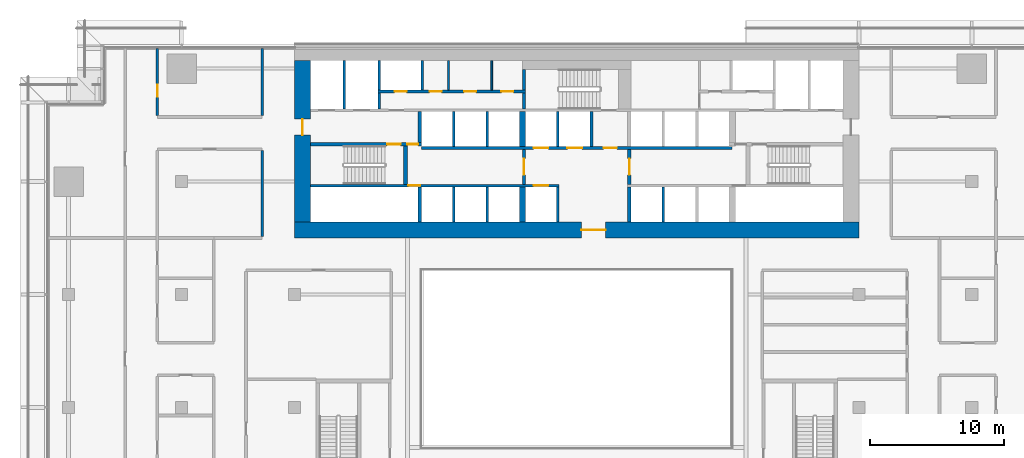
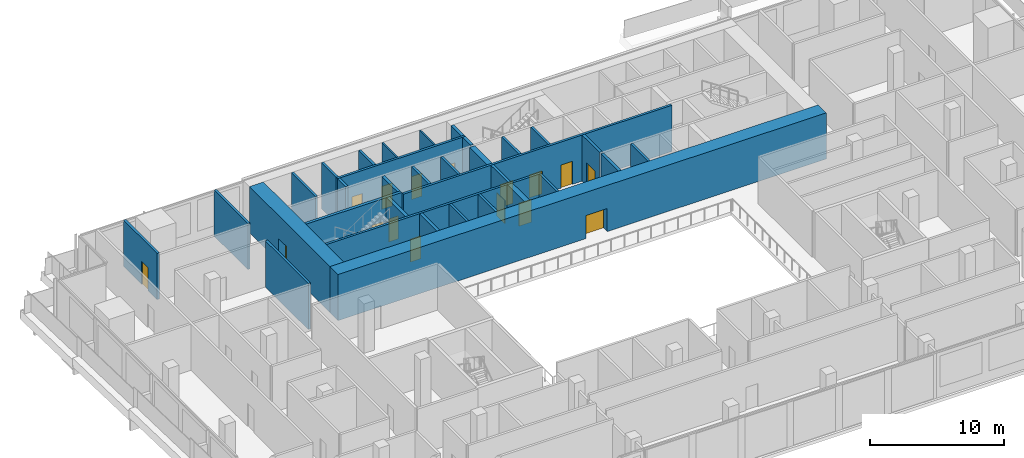
# One storey, part 15 of 23: 33 walls, 16 doors, 16 openings.
"""IFC4 building model written with IfcOpenShell, lengths in metres."""

from ifc_helpers import new_model, si_unit, direction, frame, frame_2d, origin, place, context, subcontext, project, spatial, rectangle, extrude, material, layer, layer_set, type_object, element, fill, save


model = new_model("IFC4")

# Units and contexts
model_context = context("Model", 3, precision=1e-05, world=origin(), true_north=direction((0.0, 1.0)))
body_context = subcontext(model_context, "Body", "Model", "MODEL_VIEW")
ifc_project = project(units=[si_unit("LENGTHUNIT", "METRE"), si_unit("AREAUNIT", "SQUARE_METRE"), si_unit("VOLUMEUNIT", "CUBIC_METRE"), si_unit("PLANEANGLEUNIT", "RADIAN"), si_unit("MASSUNIT", "GRAM", prefix="KILO")], contexts=[model_context])

# Site, building, storey
site_placement = place(None, origin())
site = spatial("IfcSite", under=ifc_project, at=site_placement, CompositionType="ELEMENT")
building_placement = place(site_placement, origin())
building = spatial("IfcBuilding", under=site, at=building_placement, Name="Saffron Gate Tower", CompositionType="ELEMENT")
storey_placement = place(building_placement, frame((0.0, 0.0, 23.699951171875)))
storey = spatial("IfcBuildingStorey", under=building, at=storey_placement, Name="L04", CompositionType="ELEMENT", Elevation=23.699951171875)

# Wall, opening, door
ifc_material_1 = material(Name="Concrete C70", Category="concrete")
ifc_layer_1 = layer(ifc_material_1, 1.199951171875)
ifc_layer_set_1 = layer_set([ifc_layer_1], Name="CW1 RC core wall 1200 C70")
wall_type_1 = type_object("IfcWallType", Name="CW1 RC core wall 1200 C70", PredefinedType="SOLIDWALL", material=ifc_layer_set_1)
wall_1_placement = place(storey_placement, frame((66.60009765625, 61.800048828125, 0.0), z_axis=(0.0, 0.0, 1.0), x_axis=(1.0, 0.0, 0.0)))
wall_1 = element("IfcWall", 1, at=wall_1_placement, inside=storey, type_object=wall_type_1, Name="Wall CW1-L04-1", PredefinedType="SOLIDWALL", context=body_context, shape_type="SweptSolid", body=[
    extrude(rectangle(XDim=42.0, YDim=1.199951171875, at=frame_2d((21.0, 0.0))), origin(), (0.0, 0.0, 1.0), 4.199951171875),
])
opening_1_placement = place(wall_1_placement, frame((21.35009765625, 0.0, 0.0)))
opening_1 = element("IfcOpeningElement", 2, at=opening_1_placement, cuts=wall_1, Name="Opening CR-09", PredefinedType="OPENING", context=body_context, shape_type="SweptSolid", body=[
    extrude(rectangle(XDim=1.800048828125, YDim=2.10009765625, at=frame_2d((0.89990234375, 1.050048828125))), frame((0.0, 0.60986328125, 0.0), z_axis=(0.0, -1.0, 0.0), x_axis=(1.0, 0.0, 0.0)), (0.0, 0.0, 1.0), 1.219970703125),
])
ifc_material_2 = material(Name="Steel fire door set", Category="steel")
door_type_1 = type_object("IfcDoorType", Name="CD1 Core entrance door 1800x2100 EI 120", OperationType="NOTDEFINED", PredefinedType="DOOR", material=ifc_material_2)
door_1_placement = place(opening_1_placement, origin())
door_1 = element("IfcDoor", 3, at=door_1_placement, inside=storey, type_object=door_type_1, Name="DOOR CR-09", OperationType="DOUBLE_DOOR_SINGLE_SWING", OverallHeight=2.10009765625, OverallWidth=1.800048828125, PredefinedType="DOOR", context=body_context, shape_type="SweptSolid", body=[
    extrude(rectangle(XDim=1.800048828125, YDim=2.10009765625, at=frame_2d((0.89990234375, 1.050048828125))), frame((0.0, 0.02490234375, 0.0), z_axis=(0.0, -1.0, 0.0), x_axis=(1.0, 0.0, 0.0)), (0.0, 0.0, 1.0), 0.050048828125),
])
fill(opening_1, door_1)

wall_2_placement = place(storey_placement, frame((67.199951171875, 62.39990234375, 0.0), z_axis=(0.0, 0.0, 1.0), x_axis=(0.0, 1.0, 0.0)))
wall_2 = element("IfcWall", 4, at=wall_2_placement, inside=storey, type_object=wall_type_1, Name="Wall CW1-L04-3", PredefinedType="SOLIDWALL", context=body_context, shape_type="SweptSolid", body=[
    extrude(rectangle(XDim=12.0, YDim=1.199951171875, at=frame_2d((6.0, 0.0))), origin(), (0.0, 0.0, 1.0), 4.199951171875),
])
opening_2_placement = place(wall_2_placement, frame((6.449951171875, 0.0, 0.0)))
opening_2 = element("IfcOpeningElement", 5, at=opening_2_placement, cuts=wall_2, Name="Opening CR-10", PredefinedType="OPENING", context=body_context, shape_type="SweptSolid", body=[
    extrude(rectangle(XDim=1.199951171875, YDim=2.10009765625, at=frame_2d((0.60009765625, 1.050048828125))), frame((0.0, 0.60986328125, 0.0), z_axis=(0.0, -1.0, 0.0), x_axis=(1.0, 0.0, 0.0)), (0.0, 0.0, 1.0), 1.219970703125),
])
door_type_2 = type_object("IfcDoorType", Name="CD7 Core entrance door 1200x2100 EI 120", OperationType="NOTDEFINED", PredefinedType="DOOR", material=ifc_material_2)
door_2_placement = place(opening_2_placement, origin())
door_2 = element("IfcDoor", 6, at=door_2_placement, inside=storey, type_object=door_type_2, Name="DOOR CR-10", OperationType="SINGLE_SWING_LEFT", OverallHeight=2.10009765625, OverallWidth=1.199951171875, PredefinedType="DOOR", context=body_context, shape_type="SweptSolid", body=[
    extrude(rectangle(XDim=1.199951171875, YDim=2.10009765625, at=frame_2d((0.60009765625, 1.050048828125))), frame((0.0, 0.02490234375, 0.0), z_axis=(0.0, -1.0, 0.0), x_axis=(1.0, 0.0, 0.0)), (0.0, 0.0, 1.0), 0.050048828125),
])
fill(opening_2, door_2)

# Walls
ifc_layer_2 = layer(ifc_material_1, 0.25)
ifc_layer_set_2 = layer_set([ifc_layer_2], Name="CW2 RC core wall 250 C70")
wall_type_2 = type_object("IfcWallType", Name="CW2 RC core wall 250 C70", PredefinedType="SOLIDWALL", material=ifc_layer_set_2)
for number, where, z_axis, x_axis, name in (
    (7, (75.925048828125, 62.39990234375, 0.0), (0.0, 0.0, 1.0), (0.0, 1.0, 0.0), "Wall CW2-L04-5"),
    (8, (91.52490234375, 62.39990234375, 0.0), (0.0, 0.0, 1.0), (0.0, 1.0, 0.0), "Wall CW2-L04-10"),
):
    element("IfcWall", number, at=place(storey_placement, frame(where, z_axis=z_axis, x_axis=x_axis)), inside=storey, type_object=wall_type_2, Name=name, PredefinedType="SOLIDWALL", context=body_context, shape_type="SweptSolid", body=[
        extrude(rectangle(XDim=2.60009765625, YDim=0.25, at=frame_2d((1.300048828125, 0.0))), origin(), (0.0, 0.0, 1.0), 4.199951171875),
    ])

# Wall, opening, door
wall_3_placement = place(storey_placement, frame((83.675048828125, 65.199951171875, 0.0), z_axis=(0.0, 0.0, 1.0), x_axis=(0.0, 1.0, 0.0)))
wall_3 = element("IfcWall", 9, at=wall_3_placement, inside=storey, type_object=wall_type_2, Name="Wall CW2-L04-17", PredefinedType="SOLIDWALL", context=body_context, shape_type="SweptSolid", body=[
    extrude(rectangle(XDim=2.60009765625, YDim=0.25, at=frame_2d((1.300048828125, 0.0))), origin(), (0.0, 0.0, 1.0), 4.199951171875),
])
opening_3_placement = place(wall_3_placement, frame((0.699951171875, 0.0, 0.0)))
opening_3 = element("IfcOpeningElement", 10, at=opening_3_placement, cuts=wall_3, Name="Opening CR-07", PredefinedType="OPENING", context=body_context, shape_type="SweptSolid", body=[
    extrude(rectangle(XDim=1.199951171875, YDim=2.10009765625, at=frame_2d((0.60009765625, 1.050048828125))), frame((0.0, 0.135009765625, 0.0), z_axis=(0.0, -1.0, 0.0), x_axis=(1.0, 0.0, 0.0)), (0.0, 0.0, 1.0), 0.27001953125),
])
door_type_3 = type_object("IfcDoorType", Name="CD3 Lobby door 1200x2100 EI 120", OperationType="NOTDEFINED", PredefinedType="DOOR", material=ifc_material_2)
door_3_placement = place(opening_3_placement, origin())
door_3 = element("IfcDoor", 11, at=door_3_placement, inside=storey, type_object=door_type_3, Name="DOOR CR-07", OperationType="SINGLE_SWING_RIGHT", OverallHeight=2.10009765625, OverallWidth=1.199951171875, PredefinedType="DOOR", context=body_context, shape_type="SweptSolid", body=[
    extrude(rectangle(XDim=1.199951171875, YDim=2.10009765625, at=frame_2d((0.60009765625, 1.050048828125))), frame((0.0, 0.02490234375, 0.0), z_axis=(0.0, -1.0, 0.0), x_axis=(1.0, 0.0, 0.0)), (0.0, 0.0, 1.0), 0.050048828125),
])
fill(opening_3, door_3)

wall_4_placement = place(storey_placement, frame((91.52490234375, 65.199951171875, 0.0), z_axis=(0.0, 0.0, 1.0), x_axis=(0.0, 1.0, 0.0)))
wall_4 = element("IfcWall", 12, at=wall_4_placement, inside=storey, type_object=wall_type_2, Name="Wall CW2-L04-18", PredefinedType="SOLIDWALL", context=body_context, shape_type="SweptSolid", body=[
    extrude(rectangle(XDim=2.60009765625, YDim=0.25, at=frame_2d((1.300048828125, 0.0))), origin(), (0.0, 0.0, 1.0), 4.199951171875),
])
opening_4_placement = place(wall_4_placement, frame((0.699951171875, 0.0, 0.0)))
opening_4 = element("IfcOpeningElement", 13, at=opening_4_placement, cuts=wall_4, Name="Opening CR-01", PredefinedType="OPENING", context=body_context, shape_type="SweptSolid", body=[
    extrude(rectangle(XDim=1.199951171875, YDim=2.10009765625, at=frame_2d((0.60009765625, 1.050048828125))), frame((0.0, 0.135009765625, 0.0), z_axis=(0.0, -1.0, 0.0), x_axis=(1.0, 0.0, 0.0)), (0.0, 0.0, 1.0), 0.27001953125),
])
door_4_placement = place(opening_4_placement, origin())
door_4 = element("IfcDoor", 14, at=door_4_placement, inside=storey, type_object=door_type_3, Name="DOOR CR-01", OperationType="SINGLE_SWING_RIGHT", OverallHeight=2.10009765625, OverallWidth=1.199951171875, PredefinedType="DOOR", context=body_context, shape_type="SweptSolid", body=[
    extrude(rectangle(XDim=1.199951171875, YDim=2.10009765625, at=frame_2d((0.60009765625, 1.050048828125))), frame((0.0, 0.02490234375, 0.0), z_axis=(0.0, -1.0, 0.0), x_axis=(1.0, 0.0, 0.0)), (0.0, 0.0, 1.0), 0.050048828125),
])
fill(opening_4, door_4)

# Wall, openings, doors
wall_5_placement = place(storey_placement, frame((67.800048828125, 68.175048828125, 0.0), z_axis=(0.0, 0.0, 1.0), x_axis=(1.0, 0.0, 0.0)))
wall_5 = element("IfcWall", 15, at=wall_5_placement, inside=storey, type_object=wall_type_2, Name="Wall CW2-L04-30", PredefinedType="SOLIDWALL", context=body_context, shape_type="SweptSolid", body=[
    extrude(rectangle(XDim=8.25, YDim=0.25, at=frame_2d((4.125, 0.0))), origin(), (0.0, 0.0, 1.0), 4.199951171875),
])
opening_5_placement = place(wall_5_placement, frame((5.699951171875, 0.0, 0.0)))
opening_5 = element("IfcOpeningElement", 16, at=opening_5_placement, cuts=wall_5, Name="Opening CR-15", PredefinedType="OPENING", context=body_context, shape_type="SweptSolid", body=[
    extrude(rectangle(XDim=1.0, YDim=2.10009765625, at=frame_2d((0.5, 1.050048828125))), frame((0.0, 0.135009765625, 0.0), z_axis=(0.0, -1.0, 0.0), x_axis=(1.0, 0.0, 0.0)), (0.0, 0.0, 1.0), 0.27001953125),
])
opening_6_placement = place(wall_5_placement, frame((7.199951171875, 0.0, 0.0)))
opening_6 = element("IfcOpeningElement", 17, at=opening_6_placement, cuts=wall_5, Name="Opening CR-06", PredefinedType="OPENING", context=body_context, shape_type="SweptSolid", body=[
    extrude(rectangle(XDim=0.800048828125, YDim=2.10009765625, at=frame_2d((0.39990234375, 1.050048828125))), frame((0.0, 0.135009765625, 0.0), z_axis=(0.0, -1.0, 0.0), x_axis=(1.0, 0.0, 0.0)), (0.0, 0.0, 1.0), 0.27001953125),
])
door_type_4 = type_object("IfcDoorType", Name="CD5 Stair door 1000x2100 EI 120", OperationType="NOTDEFINED", PredefinedType="DOOR", material=ifc_material_2)
door_5_placement = place(opening_5_placement, origin())
door_5 = element("IfcDoor", 18, at=door_5_placement, inside=storey, type_object=door_type_4, Name="DOOR CR-15", OperationType="SINGLE_SWING_RIGHT", OverallHeight=2.10009765625, OverallWidth=1.0, PredefinedType="DOOR", context=body_context, shape_type="SweptSolid", body=[
    extrude(rectangle(XDim=1.0, YDim=2.10009765625, at=frame_2d((0.5, 1.050048828125))), frame((0.0, 0.02490234375, 0.0), z_axis=(0.0, -1.0, 0.0), x_axis=(1.0, 0.0, 0.0)), (0.0, 0.0, 1.0), 0.050048828125),
])
fill(opening_5, door_5)
door_type_5 = type_object("IfcDoorType", Name="CD6 Lobby door 800x2100 EI 120", OperationType="NOTDEFINED", PredefinedType="DOOR", material=ifc_material_2)
door_6_placement = place(opening_6_placement, origin())
door_6 = element("IfcDoor", 19, at=door_6_placement, inside=storey, type_object=door_type_5, Name="DOOR CR-06", OperationType="SINGLE_SWING_LEFT", OverallHeight=2.10009765625, OverallWidth=0.800048828125, PredefinedType="DOOR", context=body_context, shape_type="SweptSolid", body=[
    extrude(rectangle(XDim=0.800048828125, YDim=2.10009765625, at=frame_2d((0.39990234375, 1.050048828125))), frame((0.0, 0.02490234375, 0.0), z_axis=(0.0, -1.0, 0.0), x_axis=(1.0, 0.0, 0.0)), (0.0, 0.0, 1.0), 0.050048828125),
])
fill(opening_6, door_6)

# Walls
wall_6_placement = place(storey_placement, frame((75.925048828125, 68.300048828125, 0.0), z_axis=(0.0, 0.0, 1.0), x_axis=(0.0, 1.0, 0.0)))
element("IfcWall", 20, at=wall_6_placement, inside=storey, type_object=wall_type_2, Name="Wall CW2-L04-32", PredefinedType="SOLIDWALL", context=body_context, shape_type="SweptSolid", body=[
    extrude(rectangle(XDim=2.300048828125, YDim=0.25, at=frame_2d((1.14990234375, 0.0))), origin(), (0.0, 0.0, 1.0), 4.199951171875),
])
wall_7_placement = place(storey_placement, frame((83.675048828125, 70.800048828125, 0.0), z_axis=(0.0, 0.0, 1.0), x_axis=(0.0, 1.0, 0.0)))
element("IfcWall", 21, at=wall_7_placement, inside=storey, type_object=wall_type_2, Name="Wall CW2-L04-37", PredefinedType="SOLIDWALL", context=body_context, shape_type="SweptSolid", body=[
    extrude(rectangle(XDim=1.199951171875, YDim=0.25, at=frame_2d((0.60009765625, 0.0))), origin(), (0.0, 0.0, 1.0), 4.199951171875),
])
wall_8_placement = place(storey_placement, frame((83.675048828125, 72.199951171875, 0.0), z_axis=(0.0, 0.0, 1.0), x_axis=(0.0, 1.0, 0.0)))
element("IfcWall", 22, at=wall_8_placement, inside=storey, type_object=wall_type_2, Name="Wall CW2-L04-48", PredefinedType="SOLIDWALL", context=body_context, shape_type="SweptSolid", body=[
    extrude(rectangle(XDim=1.550048828125, YDim=0.25, at=frame_2d((0.77490234375, 0.0))), origin(), (0.0, 0.0, 1.0), 4.199951171875),
])
ifc_layer_3 = layer(ifc_material_1, 0.199951171875)
ifc_layer_set_3 = layer_set([ifc_layer_3], Name="CW3 RC core wall 200 C70")
wall_type_3 = type_object("IfcWallType", Name="CW3 RC core wall 200 C70", PredefinedType="SOLIDWALL", material=ifc_layer_set_3)
for number, where, z_axis, x_axis, name in (
    (23, (78.449951171875, 62.39990234375, 0.0), (0.0, 0.0, 1.0), (0.0, 1.0, 0.0), "Wall CW3-L04-6"),
    (24, (80.949951171875, 62.39990234375, 0.0), (0.0, 0.0, 1.0), (0.0, 1.0, 0.0), "Wall CW3-L04-7"),
    (25, (86.199951171875, 62.39990234375, 0.0), (0.0, 0.0, 1.0), (0.0, 1.0, 0.0), "Wall CW3-L04-9"),
    (26, (94.050048828125, 62.39990234375, 0.0), (0.0, 0.0, 1.0), (0.0, 1.0, 0.0), "Wall CW3-L04-11"),
):
    element("IfcWall", number, at=place(storey_placement, frame(where, z_axis=z_axis, x_axis=x_axis)), inside=storey, type_object=wall_type_3, Name=name, PredefinedType="SOLIDWALL", context=body_context, shape_type="SweptSolid", body=[
        extrude(rectangle(XDim=2.60009765625, YDim=0.199951171875, at=frame_2d((1.300048828125, 0.0))), origin(), (0.0, 0.0, 1.0), 4.199951171875),
    ])

# Wall, openings, doors
wall_9_placement = place(storey_placement, frame((67.800048828125, 65.10009765625, 0.0), z_axis=(0.0, 0.0, 1.0), x_axis=(1.0, 0.0, 0.0)))
wall_9 = element("IfcWall", 27, at=wall_9_placement, inside=storey, type_object=wall_type_3, Name="Wall CW3-L04-14", PredefinedType="SOLIDWALL", context=body_context, shape_type="SweptSolid", body=[
    extrude(rectangle(XDim=18.5, YDim=0.199951171875, at=frame_2d((9.25, 0.0))), origin(), (0.0, 0.0, 1.0), 4.199951171875),
])
opening_7_placement = place(wall_9_placement, frame((7.27001953125, 0.0, 0.0)))
opening_7 = element("IfcOpeningElement", 28, at=opening_7_placement, cuts=wall_9, Name="Opening CR-49", PredefinedType="OPENING", context=body_context, shape_type="SweptSolid", body=[
    extrude(rectangle(XDim=0.89990234375, YDim=2.10009765625, at=frame_2d((0.449951171875, 1.050048828125))), frame((0.0, 0.10986328125, 0.0), z_axis=(0.0, -1.0, 0.0), x_axis=(1.0, 0.0, 0.0)), (0.0, 0.0, 1.0), 0.219970703125),
])
opening_8_placement = place(wall_9_placement, frame((16.60009765625, 0.0, 0.0)))
opening_8 = element("IfcOpeningElement", 29, at=opening_8_placement, cuts=wall_9, Name="Opening LD-SL3", PredefinedType="OPENING", context=body_context, shape_type="SweptSolid", body=[
    extrude(rectangle(XDim=1.10009765625, YDim=2.10009765625, at=frame_2d((0.550048828125, 1.050048828125))), frame((0.0, 0.10986328125, 0.0), z_axis=(0.0, -1.0, 0.0), x_axis=(1.0, 0.0, 0.0)), (0.0, 0.0, 1.0), 0.219970703125),
])
door_type_6 = type_object("IfcDoorType", Name="CD2 Riser door 900x2100 EI 60", OperationType="NOTDEFINED", PredefinedType="DOOR", material=ifc_material_2)
door_7_placement = place(opening_7_placement, origin())
door_7 = element("IfcDoor", 30, at=door_7_placement, inside=storey, type_object=door_type_6, Name="DOOR CR-49", OperationType="SINGLE_SWING_LEFT", OverallHeight=2.10009765625, OverallWidth=0.89990234375, PredefinedType="DOOR", context=body_context, shape_type="SweptSolid", body=[
    extrude(rectangle(XDim=0.89990234375, YDim=2.10009765625, at=frame_2d((0.449951171875, 1.050048828125))), frame((0.0, 0.02490234375, 0.0), z_axis=(0.0, -1.0, 0.0), x_axis=(1.0, 0.0, 0.0)), (0.0, 0.0, 1.0), 0.050048828125),
])
fill(opening_7, door_7)
ifc_material_3 = material(Name="Stainless steel landing door", Category="steel")
door_type_7 = type_object("IfcDoorType", Name="LD Lift landing door 1100x2100 EI 120", OperationType="SLIDING_TO_LEFT", PredefinedType="DOOR", material=ifc_material_3)
door_8_placement = place(opening_8_placement, origin())
door_8 = element("IfcDoor", 31, at=door_8_placement, inside=storey, type_object=door_type_7, Name="LANDING DOOR LD-SL3", OperationType="SLIDING_TO_LEFT", OverallHeight=2.10009765625, OverallWidth=1.10009765625, PredefinedType="DOOR", context=body_context, shape_type="SweptSolid", body=[
    extrude(rectangle(XDim=1.10009765625, YDim=2.10009765625, at=frame_2d((0.550048828125, 1.050048828125))), frame((0.0, 0.02490234375, 0.0), z_axis=(0.0, -1.0, 0.0), x_axis=(1.0, 0.0, 0.0)), (0.0, 0.0, 1.0), 0.050048828125),
])
fill(opening_8, door_8)

wall_10_placement = place(storey_placement, frame((76.050048828125, 67.89990234375, 0.0), z_axis=(0.0, 0.0, 1.0), x_axis=(1.0, 0.0, 0.0)))
wall_10 = element("IfcWall", 32, at=wall_10_placement, inside=storey, type_object=wall_type_3, Name="Wall CW3-L04-20", PredefinedType="SOLIDWALL", context=body_context, shape_type="SweptSolid", body=[
    extrude(rectangle(XDim=23.099853515625, YDim=0.199951171875, at=frame_2d((11.5498046875, 0.0))), origin(), (0.0, 0.0, 1.0), 4.199951171875),
])
opening_9_placement = place(wall_10_placement, frame((8.35009765625, 0.0, 0.0)))
opening_9 = element("IfcOpeningElement", 33, at=opening_9_placement, cuts=wall_10, Name="Opening LD-SL1", PredefinedType="OPENING", context=body_context, shape_type="SweptSolid", body=[
    extrude(rectangle(XDim=1.10009765625, YDim=2.10009765625, at=frame_2d((0.550048828125, 1.050048828125))), frame((0.0, 0.10986328125, 0.0), z_axis=(0.0, -1.0, 0.0), x_axis=(1.0, 0.0, 0.0)), (0.0, 0.0, 1.0), 0.219970703125),
])
opening_10_placement = place(wall_10_placement, frame((10.85009765625, 0.0, 0.0)))
opening_10 = element("IfcOpeningElement", 34, at=opening_10_placement, cuts=wall_10, Name="Opening LD-SL2", PredefinedType="OPENING", context=body_context, shape_type="SweptSolid", body=[
    extrude(rectangle(XDim=1.10009765625, YDim=2.10009765625, at=frame_2d((0.550048828125, 1.050048828125))), frame((0.0, 0.10986328125, 0.0), z_axis=(0.0, -1.0, 0.0), x_axis=(1.0, 0.0, 0.0)), (0.0, 0.0, 1.0), 0.219970703125),
])
opening_11_placement = place(wall_10_placement, frame((13.550048828125, 0.0, 0.0)))
opening_11 = element("IfcOpeningElement", 35, at=opening_11_placement, cuts=wall_10, Name="Opening CR-02", PredefinedType="OPENING", context=body_context, shape_type="SweptSolid", body=[
    extrude(rectangle(XDim=1.0, YDim=2.10009765625, at=frame_2d((0.5, 1.050048828125))), frame((0.0, 0.10986328125, 0.0), z_axis=(0.0, -1.0, 0.0), x_axis=(1.0, 0.0, 0.0)), (0.0, 0.0, 1.0), 0.219970703125),
])
door_type_8 = type_object("IfcDoorType", Name="CD4 Lobby door 1000x2100 EI 120", OperationType="NOTDEFINED", PredefinedType="DOOR", material=ifc_material_2)
door_9_placement = place(opening_11_placement, origin())
door_9 = element("IfcDoor", 36, at=door_9_placement, inside=storey, type_object=door_type_8, Name="DOOR CR-02", OperationType="SINGLE_SWING_LEFT", OverallHeight=2.10009765625, OverallWidth=1.0, PredefinedType="DOOR", context=body_context, shape_type="SweptSolid", body=[
    extrude(rectangle(XDim=1.0, YDim=2.10009765625, at=frame_2d((0.5, 1.050048828125))), frame((0.0, 0.02490234375, 0.0), z_axis=(0.0, -1.0, 0.0), x_axis=(1.0, 0.0, 0.0)), (0.0, 0.0, 1.0), 0.050048828125),
])
fill(opening_11, door_9)
door_10_placement = place(opening_9_placement, origin())
door_10 = element("IfcDoor", 37, at=door_10_placement, inside=storey, type_object=door_type_7, Name="LANDING DOOR LD-SL1", OperationType="SLIDING_TO_RIGHT", OverallHeight=2.10009765625, OverallWidth=1.10009765625, PredefinedType="DOOR", context=body_context, shape_type="SweptSolid", body=[
    extrude(rectangle(XDim=1.10009765625, YDim=2.10009765625, at=frame_2d((0.550048828125, 1.050048828125))), frame((0.0, 0.02490234375, 0.0), z_axis=(0.0, -1.0, 0.0), x_axis=(1.0, 0.0, 0.0)), (0.0, 0.0, 1.0), 0.050048828125),
])
fill(opening_9, door_10)
door_11_placement = place(opening_10_placement, origin())
door_11 = element("IfcDoor", 38, at=door_11_placement, inside=storey, type_object=door_type_7, Name="LANDING DOOR LD-SL2", OperationType="SLIDING_TO_RIGHT", OverallHeight=2.10009765625, OverallWidth=1.10009765625, PredefinedType="DOOR", context=body_context, shape_type="SweptSolid", body=[
    extrude(rectangle(XDim=1.10009765625, YDim=2.10009765625, at=frame_2d((0.550048828125, 1.050048828125))), frame((0.0, 0.02490234375, 0.0), z_axis=(0.0, -1.0, 0.0), x_axis=(1.0, 0.0, 0.0)), (0.0, 0.0, 1.0), 0.050048828125),
])
fill(opening_10, door_11)

# Walls
for number, where, z_axis, x_axis, name in (
    (39, (78.449951171875, 68.0, 0.0), (0.0, 0.0, 1.0), (0.0, 1.0, 0.0), "Wall CW3-L04-21"),
    (40, (80.949951171875, 68.0, 0.0), (0.0, 0.0, 1.0), (0.0, 1.0, 0.0), "Wall CW3-L04-22"),
    (41, (86.199951171875, 68.0, 0.0), (0.0, 0.0, 1.0), (0.0, 1.0, 0.0), "Wall CW3-L04-24"),
    (42, (88.699951171875, 68.0, 0.0), (0.0, 0.0, 1.0), (0.0, 1.0, 0.0), "Wall CW3-L04-25"),
):
    element("IfcWall", number, at=place(storey_placement, frame(where, z_axis=z_axis, x_axis=x_axis)), inside=storey, type_object=wall_type_3, Name=name, PredefinedType="SOLIDWALL", context=body_context, shape_type="SweptSolid", body=[
        extrude(rectangle(XDim=2.60009765625, YDim=0.199951171875, at=frame_2d((1.300048828125, 0.0))), origin(), (0.0, 0.0, 1.0), 4.199951171875),
    ])
wall_11_placement = place(storey_placement, frame((70.300048828125, 70.800048828125, 0.0), z_axis=(0.0, 0.0, 1.0), x_axis=(0.0, 1.0, 0.0)))
element("IfcWall", 43, at=wall_11_placement, inside=storey, type_object=wall_type_3, Name="Wall CW3-L04-35", PredefinedType="SOLIDWALL", context=body_context, shape_type="SweptSolid", body=[
    extrude(rectangle(XDim=3.599853515625, YDim=0.199951171875, at=frame_2d((1.7998046875, 0.0))), origin(), (0.0, 0.0, 1.0), 4.199951171875),
])
wall_12_placement = place(storey_placement, frame((72.89990234375, 70.800048828125, 0.0), z_axis=(0.0, 0.0, 1.0), x_axis=(0.0, 1.0, 0.0)))
element("IfcWall", 44, at=wall_12_placement, inside=storey, type_object=wall_type_3, Name="Wall CW3-L04-36", PredefinedType="SOLIDWALL", context=body_context, shape_type="SweptSolid", body=[
    extrude(rectangle(XDim=1.199951171875, YDim=0.199951171875, at=frame_2d((0.60009765625, 0.0))), origin(), (0.0, 0.0, 1.0), 4.199951171875),
])

# Wall, openings, doors
wall_13_placement = place(storey_placement, frame((72.800048828125, 72.10009765625, 0.0), z_axis=(0.0, 0.0, 1.0), x_axis=(1.0, 0.0, 0.0)))
wall_13 = element("IfcWall", 45, at=wall_13_placement, inside=storey, type_object=wall_type_3, Name="Wall CW3-L04-42", PredefinedType="SOLIDWALL", context=body_context, shape_type="SweptSolid", body=[
    extrude(rectangle(XDim=11.0, YDim=0.199951171875, at=frame_2d((5.5, 0.0))), origin(), (0.0, 0.0, 1.0), 4.199951171875),
])
opening_12_placement = place(wall_13_placement, frame((1.25, 0.0, 0.0)))
opening_12 = element("IfcOpeningElement", 46, at=opening_12_placement, cuts=wall_13, Name="Opening CR-71", PredefinedType="OPENING", context=body_context, shape_type="SweptSolid", body=[
    extrude(rectangle(XDim=0.89990234375, YDim=2.10009765625, at=frame_2d((0.449951171875, 1.050048828125))), frame((0.0, 0.10986328125, 0.0), z_axis=(0.0, -1.0, 0.0), x_axis=(1.0, 0.0, 0.0)), (0.0, 0.0, 1.0), 0.219970703125),
])
opening_13_placement = place(wall_13_placement, frame((3.85009765625, 0.0, 0.0)))
opening_13 = element("IfcOpeningElement", 47, at=opening_13_placement, cuts=wall_13, Name="Opening CR-55", PredefinedType="OPENING", context=body_context, shape_type="SweptSolid", body=[
    extrude(rectangle(XDim=0.89990234375, YDim=2.10009765625, at=frame_2d((0.449951171875, 1.050048828125))), frame((0.0, 0.10986328125, 0.0), z_axis=(0.0, -1.0, 0.0), x_axis=(1.0, 0.0, 0.0)), (0.0, 0.0, 1.0), 0.219970703125),
])
opening_14_placement = place(wall_13_placement, frame((6.419921875, 0.0, 0.0)))
opening_14 = element("IfcOpeningElement", 48, at=opening_14_placement, cuts=wall_13, Name="Opening CR-58", PredefinedType="OPENING", context=body_context, shape_type="SweptSolid", body=[
    extrude(rectangle(XDim=0.89990234375, YDim=2.10009765625, at=frame_2d((0.449951171875, 1.050048828125))), frame((0.0, 0.10986328125, 0.0), z_axis=(0.0, -1.0, 0.0), x_axis=(1.0, 0.0, 0.0)), (0.0, 0.0, 1.0), 0.219970703125),
])
opening_15_placement = place(wall_13_placement, frame((9.195068359375, 0.0, 0.0)))
opening_15 = element("IfcOpeningElement", 49, at=opening_15_placement, cuts=wall_13, Name="Opening CR-59", PredefinedType="OPENING", context=body_context, shape_type="SweptSolid", body=[
    extrude(rectangle(XDim=0.89990234375, YDim=2.10009765625, at=frame_2d((0.449951171875, 1.050048828125))), frame((0.0, 0.10986328125, 0.0), z_axis=(0.0, -1.0, 0.0), x_axis=(1.0, 0.0, 0.0)), (0.0, 0.0, 1.0), 0.219970703125),
])
door_12_placement = place(opening_12_placement, origin())
door_12 = element("IfcDoor", 50, at=door_12_placement, inside=storey, type_object=door_type_6, Name="DOOR CR-71", OperationType="SINGLE_SWING_LEFT", OverallHeight=2.10009765625, OverallWidth=0.89990234375, PredefinedType="DOOR", context=body_context, shape_type="SweptSolid", body=[
    extrude(rectangle(XDim=0.89990234375, YDim=2.10009765625, at=frame_2d((0.449951171875, 1.050048828125))), frame((0.0, 0.02490234375, 0.0), z_axis=(0.0, -1.0, 0.0), x_axis=(1.0, 0.0, 0.0)), (0.0, 0.0, 1.0), 0.050048828125),
])
fill(opening_12, door_12)
door_type_9 = type_object("IfcDoorType", Name="CD9 Room door 900x2100 EI 60", OperationType="NOTDEFINED", PredefinedType="DOOR", material=ifc_material_2)
door_13_placement = place(opening_13_placement, origin())
door_13 = element("IfcDoor", 51, at=door_13_placement, inside=storey, type_object=door_type_9, Name="DOOR CR-55", OperationType="SINGLE_SWING_LEFT", OverallHeight=2.10009765625, OverallWidth=0.89990234375, PredefinedType="DOOR", context=body_context, shape_type="SweptSolid", body=[
    extrude(rectangle(XDim=0.89990234375, YDim=2.10009765625, at=frame_2d((0.449951171875, 1.050048828125))), frame((0.0, 0.02490234375, 0.0), z_axis=(0.0, -1.0, 0.0), x_axis=(1.0, 0.0, 0.0)), (0.0, 0.0, 1.0), 0.050048828125),
])
fill(opening_13, door_13)
door_14_placement = place(opening_14_placement, origin())
door_14 = element("IfcDoor", 52, at=door_14_placement, inside=storey, type_object=door_type_9, Name="DOOR CR-58", OperationType="SINGLE_SWING_LEFT", OverallHeight=2.10009765625, OverallWidth=0.89990234375, PredefinedType="DOOR", context=body_context, shape_type="SweptSolid", body=[
    extrude(rectangle(XDim=0.89990234375, YDim=2.10009765625, at=frame_2d((0.449951171875, 1.050048828125))), frame((0.0, 0.02490234375, 0.0), z_axis=(0.0, -1.0, 0.0), x_axis=(1.0, 0.0, 0.0)), (0.0, 0.0, 1.0), 0.050048828125),
])
fill(opening_14, door_14)
door_15_placement = place(opening_15_placement, origin())
door_15 = element("IfcDoor", 53, at=door_15_placement, inside=storey, type_object=door_type_9, Name="DOOR CR-59", OperationType="SINGLE_SWING_LEFT", OverallHeight=2.10009765625, OverallWidth=0.89990234375, PredefinedType="DOOR", context=body_context, shape_type="SweptSolid", body=[
    extrude(rectangle(XDim=0.89990234375, YDim=2.10009765625, at=frame_2d((0.449951171875, 1.050048828125))), frame((0.0, 0.02490234375, 0.0), z_axis=(0.0, -1.0, 0.0), x_axis=(1.0, 0.0, 0.0)), (0.0, 0.0, 1.0), 0.050048828125),
])
fill(opening_15, door_15)

# Walls
for number, where, z_axis, x_axis, name in (
    (54, (72.89990234375, 72.199951171875, 0.0), (0.0, 0.0, 1.0), (0.0, 1.0, 0.0), "Wall CW3-L04-44"),
    (55, (76.10009765625, 72.199951171875, 0.0), (0.0, 0.0, 1.0), (0.0, 1.0, 0.0), "Wall CW3-L04-45"),
):
    element("IfcWall", number, at=place(storey_placement, frame(where, z_axis=z_axis, x_axis=x_axis)), inside=storey, type_object=wall_type_3, Name=name, PredefinedType="SOLIDWALL", context=body_context, shape_type="SweptSolid", body=[
        extrude(rectangle(XDim=2.199951171875, YDim=0.199951171875, at=frame_2d((1.10009765625, 0.0))), origin(), (0.0, 0.0, 1.0), 4.199951171875),
    ])
ifc_layer_4 = layer(ifc_material_1, 0.449951171875)
ifc_layer_set_4 = layer_set([ifc_layer_4], Name="CW4 RC core wall 450 C70")
wall_type_4 = type_object("IfcWallType", Name="CW4 RC core wall 450 C70", PredefinedType="SOLIDWALL", material=ifc_layer_set_4)
for number, where, z_axis, x_axis, name in (
    (56, (83.574951171875, 62.39990234375, 0.0), (0.0, 0.0, 1.0), (0.0, 1.0, 0.0), "Wall CW4-L04-8"),
    (57, (83.574951171875, 68.0, 0.0), (0.0, 0.0, 1.0), (0.0, 1.0, 0.0), "Wall CW4-L04-23"),
):
    element("IfcWall", number, at=place(storey_placement, frame(where, z_axis=z_axis, x_axis=x_axis)), inside=storey, type_object=wall_type_4, Name=name, PredefinedType="SOLIDWALL", context=body_context, shape_type="SweptSolid", body=[
        extrude(rectangle(XDim=2.60009765625, YDim=0.449951171875, at=frame_2d((1.300048828125, 0.0))), origin(), (0.0, 0.0, 1.0), 4.199951171875),
    ])
ifc_layer_5 = layer(ifc_material_1, 0.300048828125)
ifc_layer_set_5 = layer_set([ifc_layer_5], Name="CW5 RC core wall 300 C70")
wall_type_5 = type_object("IfcWallType", Name="CW5 RC core wall 300 C70", PredefinedType="SOLIDWALL", material=ifc_layer_set_5)
wall_14_placement = place(storey_placement, frame((74.85009765625, 65.199951171875, 0.0), z_axis=(0.0, 0.0, 1.0), x_axis=(0.0, 1.0, 0.0)))
element("IfcWall", 58, at=wall_14_placement, inside=storey, type_object=wall_type_5, Name="Wall CW5-L04-16", PredefinedType="SOLIDWALL", context=body_context, shape_type="SweptSolid", body=[
    extrude(rectangle(XDim=2.85009765625, YDim=0.300048828125, at=frame_2d((1.425048828125, 0.0))), origin(), (0.0, 0.0, 1.0), 4.199951171875),
])
ifc_material_4 = material(Name="Gypsum board partition on steel studs", Category="steel")
ifc_layer_6 = layer(ifc_material_4, 0.1201171875)
ifc_layer_set_6 = layer_set([ifc_layer_6], Name="CW8 Core partition 120")
wall_type_6 = type_object("IfcWallType", Name="CW8 Core partition 120", PredefinedType="PARTITIONING", material=ifc_layer_set_6)
for number, where, z_axis, x_axis, name in (
    (59, (78.06005859375, 72.199951171875, 0.0), (0.0, 0.0, 1.0), (0.0, 1.0, 0.0), "Wall CW8-L04-46"),
    (60, (81.280029296875, 72.199951171875, 0.0), (0.0, 0.0, 1.0), (0.0, 1.0, 0.0), "Wall CW8-L04-47"),
):
    element("IfcWall", number, at=place(storey_placement, frame(where, z_axis=z_axis, x_axis=x_axis)), inside=storey, type_object=wall_type_6, Name=name, PredefinedType="PARTITIONING", context=body_context, shape_type="SweptSolid", body=[
        extrude(rectangle(XDim=2.199951171875, YDim=0.1201171875, at=frame_2d((1.10009765625, 0.0))), origin(), (0.0, 0.0, 1.0), 4.199951171875),
    ])

# Wall, opening, door
ifc_material_5 = material(Name="Clay brick masonry, rendered", Category="masonry")
ifc_layer_7 = layer(ifc_material_5, 0.199951171875)
ifc_layer_set_7 = layer_set([ifc_layer_7], Name="PW3 Corridor wall 200")
wall_type_7 = type_object("IfcWallType", Name="PW3 Corridor wall 200", PredefinedType="PARTITIONING", material=ifc_layer_set_7)
wall_15_placement = place(storey_placement, frame((56.39990234375, 75.320068359375, 0.0), z_axis=(0.0, 0.0, 1.0), x_axis=(0.0, -1.0, 0.0)))
wall_15 = element("IfcWall", 61, at=wall_15_placement, inside=storey, type_object=wall_type_7, Name="Wall S2-55", PredefinedType="PARTITIONING", context=body_context, shape_type="SweptSolid", body=[
    extrude(rectangle(XDim=5.02001953125, YDim=0.199951171875, at=frame_2d((2.510009765625, 0.0))), origin(), (0.0, 0.0, 1.0), 4.199951171875),
])
opening_16_placement = place(wall_15_placement, frame((2.719970703125, 0.0, 0.0)))
opening_16 = element("IfcOpeningElement", 62, at=opening_16_placement, cuts=wall_15, Name="Opening S2-23", PredefinedType="OPENING", context=body_context, shape_type="SweptSolid", body=[
    extrude(rectangle(XDim=0.89990234375, YDim=2.10009765625, at=frame_2d((0.449951171875, 1.050048828125))), frame((0.0, 0.10986328125, 0.0), z_axis=(0.0, -1.0, 0.0), x_axis=(1.0, 0.0, 0.0)), (0.0, 0.0, 1.0), 0.219970703125),
])
ifc_material_6 = material(Name="Timber door set", Category="wood")
door_type_10 = type_object("IfcDoorType", Name="RD1 Room door 900x2100", OperationType="NOTDEFINED", PredefinedType="DOOR", material=ifc_material_6)
door_16_placement = place(opening_16_placement, origin())
door_16 = element("IfcDoor", 63, at=door_16_placement, inside=storey, type_object=door_type_10, Name="Door S2-23", OperationType="SINGLE_SWING_RIGHT", OverallHeight=2.10009765625, OverallWidth=0.89990234375, PredefinedType="DOOR", context=body_context, shape_type="SweptSolid", body=[
    extrude(rectangle(XDim=0.89990234375, YDim=2.10009765625, at=frame_2d((0.449951171875, 1.050048828125))), frame((0.0, 0.02490234375, 0.0), z_axis=(0.0, -1.0, 0.0), x_axis=(1.0, 0.0, 0.0)), (0.0, 0.0, 1.0), 0.050048828125),
])
fill(opening_16, door_16)

# Walls
wall_16_placement = place(storey_placement, frame((64.199951171875, 67.699951171875, 0.0), z_axis=(0.0, 0.0, 1.0), x_axis=(0.0, -1.0, 0.0)))
element("IfcWall", 64, at=wall_16_placement, inside=storey, type_object=wall_type_7, Name="Wall S2-61", PredefinedType="PARTITIONING", context=body_context, shape_type="SweptSolid", body=[
    extrude(rectangle(XDim=6.39990234375, YDim=0.199951171875, at=frame_2d((3.199951171875, 0.0))), origin(), (0.0, 0.0, 1.0), 4.199951171875),
])
wall_17_placement = place(storey_placement, frame((64.199951171875, 75.320068359375, 0.0), z_axis=(0.0, 0.0, 1.0), x_axis=(0.0, -1.0, 0.0)))
element("IfcWall", 65, at=wall_17_placement, inside=storey, type_object=wall_type_7, Name="Wall S2-62", PredefinedType="PARTITIONING", context=body_context, shape_type="SweptSolid", body=[
    extrude(rectangle(XDim=5.02001953125, YDim=0.199951171875, at=frame_2d((2.510009765625, 0.0))), origin(), (0.0, 0.0, 1.0), 4.199951171875),
])

save(model, "model.ifc")
